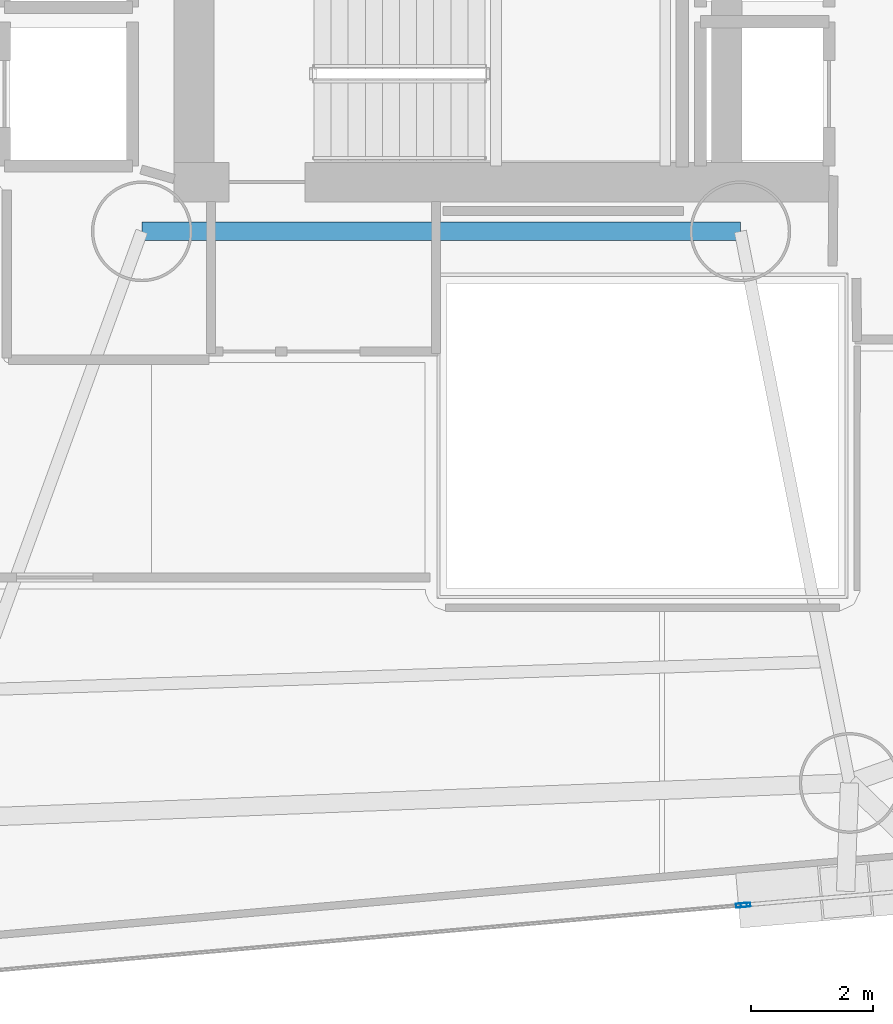
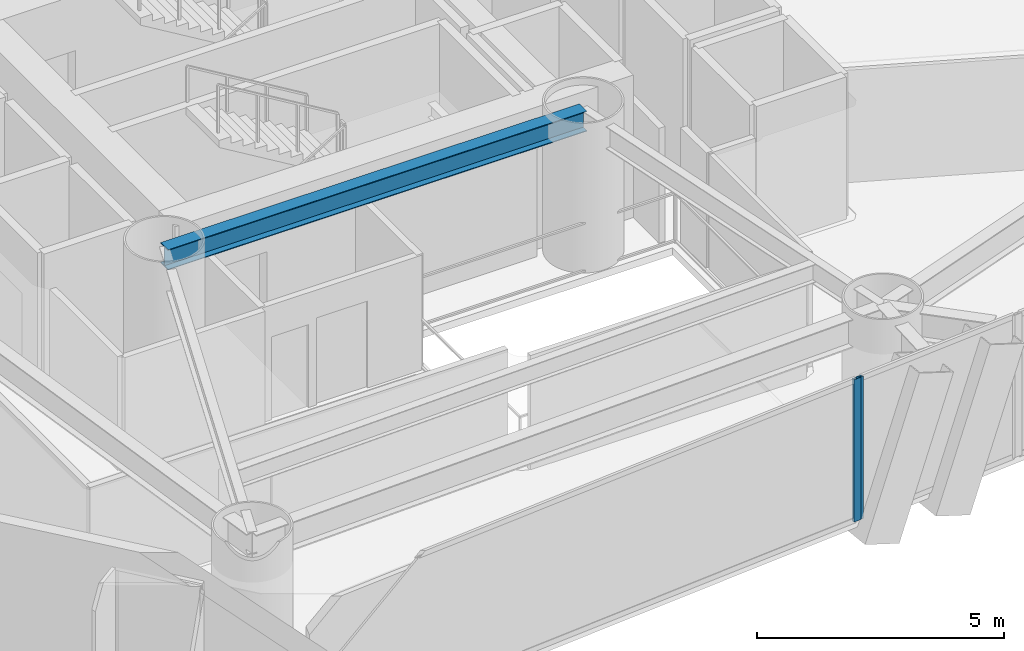
# One storey, part 5 of 23: 2 members, 1 beam, 2 elements without a shape of their own.
"""IFC4 building model written with IfcOpenShell, lengths in metres."""

from ifc_helpers import new_model, si_unit, direction, frame, origin, origin_2d, place, context, subcontext, project, spatial, hollow_rectangle, i_section, extrude, material, layer, layer_set, material_profile, profile_set, type_object, element, aggregate, save


model = new_model("IFC4")

# Units and contexts
model_context = context("Model", 3, precision=1e-05, world=origin(), true_north=direction((0.0, 1.0)))
body_context = subcontext(model_context, "Body", "Model", "MODEL_VIEW")
ifc_project = project(units=[si_unit("LENGTHUNIT", "METRE"), si_unit("AREAUNIT", "SQUARE_METRE"), si_unit("VOLUMEUNIT", "CUBIC_METRE"), si_unit("PLANEANGLEUNIT", "RADIAN"), si_unit("MASSUNIT", "GRAM", prefix="KILO")], contexts=[model_context])

# Site, building, storey
site_placement = place(None, origin())
site = spatial("IfcSite", under=ifc_project, at=site_placement, CompositionType="ELEMENT")
building_placement = place(site_placement, origin())
building = spatial("IfcBuilding", under=site, at=building_placement, Name="Qianvela Tower", CompositionType="ELEMENT")
storey_placement = place(building_placement, frame((0.0, 0.0, 63.60009765625)))
storey = spatial("IfcBuildingStorey", under=building, at=storey_placement, Name="L15", CompositionType="ELEMENT", Elevation=63.60009765625)

# Beam
ifc_material_1 = material(Name="Steel Q355B", Category="steel")
ifc_material_profile_1 = material_profile(ifc_material_1, i_section(OverallWidth=0.300048828125, OverallDepth=0.5, WebThickness=0.010986328125, FlangeThickness=0.01806640625, at=origin_2d()), Name="HM500x300x11x18")
ifc_profile_set_1 = profile_set([ifc_material_profile_1], Name="Steel Q355B")
beam_type = type_object("IfcBeamType", Name="BM-HM500-COLL", PredefinedType="BEAM", material=ifc_profile_set_1)
beam_placement = place(storey_placement, frame((28.60009765625, 23.85009765625, 3.267822265625), z_axis=(1.0, 0.0, 0.0), x_axis=(0.0, 1.0, 0.0)))
element("IfcBeam", 1, at=beam_placement, inside=storey, type_object=beam_type, Name="L15 Core Ring Collector Girder CC1", PredefinedType="BEAM", context=body_context, shape_type="SweptSolid", body=[
    extrude(i_section(OverallWidth=0.300048828125, OverallDepth=0.5, WebThickness=0.010986328125, FlangeThickness=0.01806640625, at=origin_2d()), origin(), (0.0, 0.0, 1.0), 9.7998046875),
])

# Curtain wall, member
ifc_material_2 = material(Name="Anodised Architectural Aluminium and Insulated Spandrel Panel", Category="aluminium")
ifc_layer_1 = layer(ifc_material_2, 0.179931640625)
ifc_layer_set_1 = layer_set([ifc_layer_1], Name="Anodised Architectural Aluminium and Insulated Spandrel Panel")
curtain_wall_type_1 = type_object("IfcCurtainWallType", Name="CW-BRACEBAY", PredefinedType="USERDEFINED", material=ifc_layer_set_1)
curtain_wall_1_placement = place(storey_placement, origin())
curtain_wall_1 = element("IfcCurtainWall", 2, at=curtain_wall_1_placement, inside=storey, type_object=curtain_wall_type_1, Name="L15 CW-BRACEBAY Curtain Wall 06B", ObjectType="CURTAIN_WALL_SYSTEM", PredefinedType="USERDEFINED")
ifc_material_3 = material(Name="Anodised Architectural Aluminium 6063-T6", Category="aluminium")
ifc_material_profile_2 = material_profile(ifc_material_3, hollow_rectangle(XDim=0.06494140625, YDim=0.159912109375, WallThickness=0.0048828125, at=origin_2d()), Name="ALU-MULL-65x160")
ifc_profile_set_2 = profile_set([ifc_material_profile_2], Name="Anodised Architectural Aluminium 6063-T6")
member_type_1 = type_object("IfcMemberType", Name="CW-BRACEBAY-MULL", PredefinedType="MULLION", material=ifc_profile_set_2)
member_1_placement = place(storey_placement, frame((38.486083984375, 12.822021484375, 0.0), z_axis=(0.0, 0.0, 1.0), x_axis=(-0.087032430798, 0.996205478799, 0.0)))
member_1 = element("IfcMember", 3, at=member_1_placement, type_object=member_type_1, Name="CW-9 mullion 1", PredefinedType="MULLION", context=body_context, shape_type="SweptSolid", body=[
    extrude(hollow_rectangle(XDim=0.06494140625, YDim=0.159912109375, WallThickness=0.0048828125, at=origin_2d()), origin(), (0.0, 0.0, 1.0), 3.52001953125),
])
aggregate(curtain_wall_1, [member_1])

ifc_material_4 = material(Name="Anodised Architectural Aluminium and Low-E Glass", Category="aluminium")
ifc_layer_2 = layer(ifc_material_4, 0.179931640625)
ifc_layer_set_2 = layer_set([ifc_layer_2], Name="Anodised Architectural Aluminium and Low-E Glass")
curtain_wall_type_2 = type_object("IfcCurtainWallType", Name="CW-COLIV-Z12", PredefinedType="USERDEFINED", material=ifc_layer_set_2)
curtain_wall_2_placement = place(storey_placement, origin())
curtain_wall_2 = element("IfcCurtainWall", 4, at=curtain_wall_2_placement, inside=storey, type_object=curtain_wall_type_2, Name="L15 CW-COLIV-Z12 Curtain Wall 06A", ObjectType="CURTAIN_WALL_SYSTEM", PredefinedType="USERDEFINED")
ifc_material_5 = material(Name="Anodised Architectural Aluminium 6063-T6", Category="aluminium")
ifc_material_profile_3 = material_profile(ifc_material_5, hollow_rectangle(XDim=0.070068359375, YDim=0.179931640625, WallThickness=0.0048828125, at=origin_2d()), Name="ALU-MULL-70x180")
ifc_profile_set_3 = profile_set([ifc_material_profile_3], Name="Anodised Architectural Aluminium 6063-T6")
member_type_2 = type_object("IfcMemberType", Name="CW-COLIV-Z12-MULL", PredefinedType="MULLION", material=ifc_profile_set_3)
member_2_placement = place(storey_placement, frame((38.4189453125, 12.816162109375, 0.0), z_axis=(0.0, 0.0, 1.0), x_axis=(-0.087027654918, 0.996205896027, 0.0)))
member_2 = element("IfcMember", 5, at=member_2_placement, type_object=member_type_2, Name="CW-3 mullion 2", PredefinedType="MULLION", context=body_context, shape_type="SweptSolid", body=[
    extrude(hollow_rectangle(XDim=0.070068359375, YDim=0.179931640625, WallThickness=0.0048828125, at=origin_2d()), origin(), (0.0, 0.0, 1.0), 3.52001953125),
])
aggregate(curtain_wall_2, [member_2])

save(model, "model.ifc")
